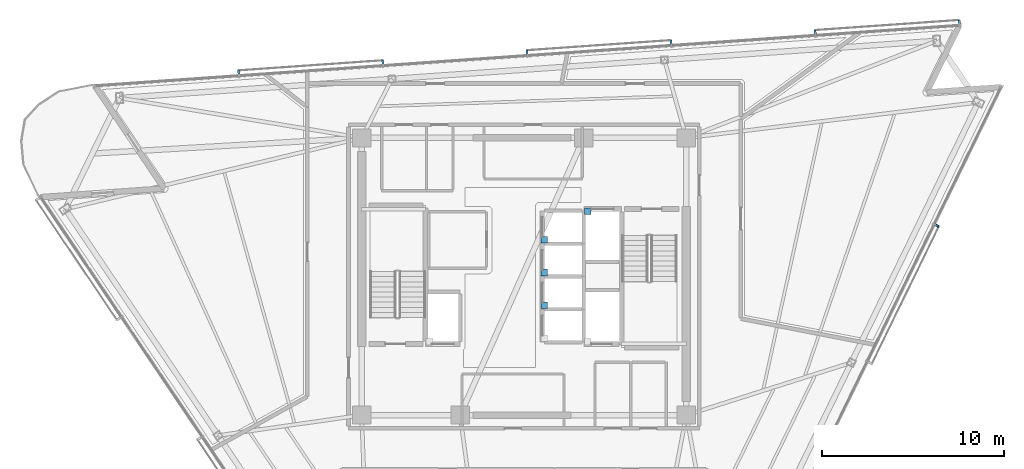
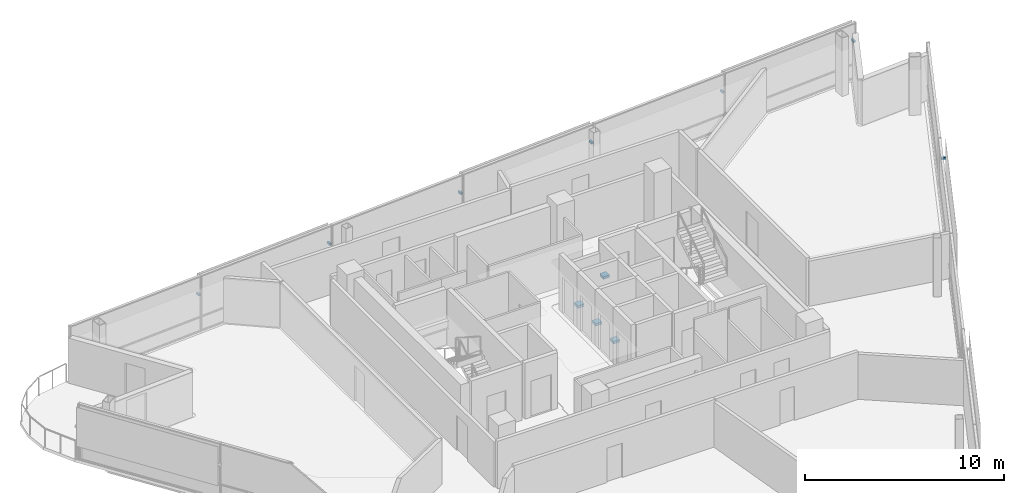
# One storey, part 12 of 15: 11 discrete accessories.
"""IFC4 building model written with IfcOpenShell, lengths in metres."""

from ifc_helpers import new_model, si_unit, direction, frame, origin, origin_2d, place, context, subcontext, project, spatial, rectangle, extrude, material, type_object, element, save


model = new_model("IFC4")

# Units and contexts
model_context = context("Model", 3, precision=1e-05, world=origin(), true_north=direction((0.0, 1.0)))
body_context = subcontext(model_context, "Body", "Model", "MODEL_VIEW")
ifc_project = project(units=[si_unit("LENGTHUNIT", "METRE"), si_unit("AREAUNIT", "SQUARE_METRE"), si_unit("VOLUMEUNIT", "CUBIC_METRE"), si_unit("PLANEANGLEUNIT", "RADIAN"), si_unit("MASSUNIT", "GRAM", prefix="KILO")], contexts=[model_context])

# Site, building, storey
site_placement = place(None, origin())
site = spatial("IfcSite", under=ifc_project, at=site_placement, CompositionType="ELEMENT")
building_placement = place(site_placement, origin())
building = spatial("IfcBuilding", under=site, at=building_placement, Name="Tharavind Bronze Gate", CompositionType="ELEMENT")
storey_placement = place(building_placement, frame((0.0, 0.0, 267.800048828125)))
storey = spatial("IfcBuildingStorey", under=building, at=storey_placement, Name="L69", CompositionType="ELEMENT", Elevation=267.800048828125)

# Discrete accessories
ifc_material_1 = material(Name="Galvanised Steel S355", Category="steel")
discrete_accessory_type_1 = type_object("IfcDiscreteAccessoryType", Name="LIFT GUIDE RAIL BRACKET", PredefinedType="BRACKET", material=ifc_material_1)
for number, where, z_axis, x_axis, name in (
    (1, (1.1201171875, -1.580078125, 1.1201171875), (0.0, 0.0, 1.0), (1.0, 0.0, 0.0), "Lift PL10 guide rail bracket at L69"),
    (2, (1.1201171875, 0.219970703125, 1.1201171875), (0.0, 0.0, 1.0), (1.0, 0.0, 0.0), "Lift PL11 guide rail bracket at L69"),
    (3, (1.1201171875, 2.02001953125, 1.1201171875), (0.0, 0.0, 1.0), (1.0, 0.0, 0.0), "Lift PL12 guide rail bracket at L69"),
    (4, (3.5, 3.580078125, 1.1201171875), (0.0, 0.0, 1.0), (1.0, 0.0, 0.0), "Lift FFL2 guide rail bracket at L69"),
):
    element("IfcDiscreteAccessory", number, at=place(storey_placement, frame(where, z_axis=z_axis, x_axis=x_axis)), inside=storey, type_object=discrete_accessory_type_1, Name=name, PredefinedType="BRACKET", context=body_context, shape_type="SweptSolid", body=[
        extrude(rectangle(XDim=0.360107421875, YDim=0.360107421875, at=origin_2d()), origin(), (0.0, 0.0, 1.0), 0.159912109375),
    ])
ifc_material_2 = material(Name="Stainless Steel 316", Category="steel")
discrete_accessory_type_2 = type_object("IfcDiscreteAccessoryType", Name="SOLAR SCREEN STANDOFF BRACKET", PredefinedType="BRACKET", material=ifc_material_2)
for number, where, z_axis, x_axis, name in (
    (5, (22.64697265625, 2.78466796875, 2.099853515625), (0.0, 0.0, 1.0), (0.43837271548, 0.898793281196, 0.0), "CW-L69-S2 solar screen bracket 5.2"),
    (6, (23.867919921875, 13.940673828125, 2.099853515625), (0.0, 0.0, 1.0), (-0.997563806758, -0.069759955899, 0.0), "CW-L69-S3 solar screen bracket 1.1"),
    (7, (15.966796875, 13.38818359375, 2.099853515625), (0.0, 0.0, 1.0), (-0.997563806758, -0.069759955899, 0.0), "CW-L69-S3 solar screen bracket 1.2"),
    (8, (8.06591796875, 12.835693359375, 2.099853515625), (0.0, 0.0, 1.0), (-0.997563806758, -0.069759955899, 0.0), "CW-L69-S3 solar screen bracket 3.1"),
    (9, (0.164794921875, 12.283203125, 2.099853515625), (0.0, 0.0, 1.0), (-0.997563806758, -0.069759955899, 0.0), "CW-L69-S3 solar screen bracket 3.2"),
    (10, (-7.736328125, 11.730712890625, 2.099853515625), (0.0, 0.0, 1.0), (-0.997563806758, -0.069759955899, 0.0), "CW-L69-S3 solar screen bracket 5.1"),
    (11, (-15.63720703125, 11.177978515625, 2.099853515625), (0.0, 0.0, 1.0), (-0.997563806758, -0.069759955899, 0.0), "CW-L69-S3 solar screen bracket 5.2"),
):
    element("IfcDiscreteAccessory", number, at=place(storey_placement, frame(where, z_axis=z_axis, x_axis=x_axis)), inside=storey, type_object=discrete_accessory_type_2, Name=name, PredefinedType="BRACKET", context=body_context, shape_type="SweptSolid", body=[
        extrude(rectangle(XDim=0.1201171875, YDim=0.239990234375, at=origin_2d()), origin(), (0.0, 0.0, 1.0), 0.1201171875),
    ])

save(model, "model.ifc")
